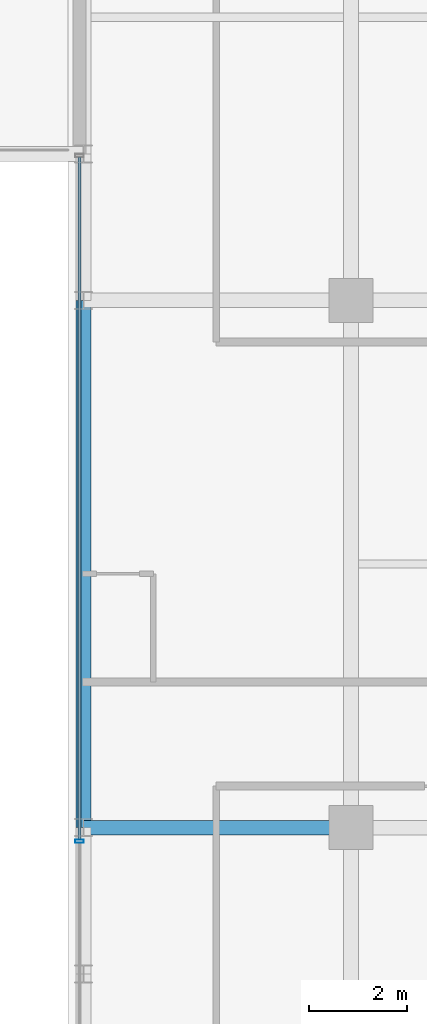
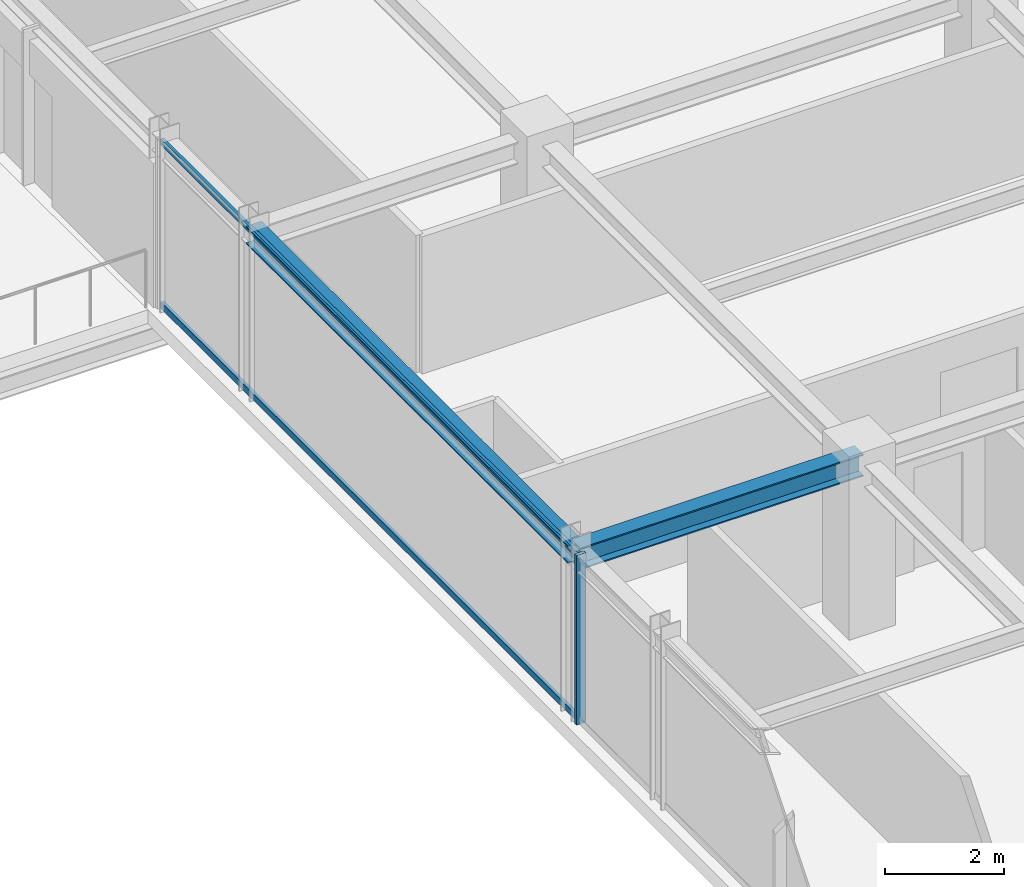
# One storey, part 8 of 34: 3 members, 2 beams, 1 element without a shape of its own.
"""IFC4 building model written with IfcOpenShell, lengths in metres."""

from ifc_helpers import new_model, si_unit, direction, frame, origin, origin_2d, place, context, subcontext, project, spatial, hollow_rectangle, i_section, extrude, source, transform, mapped, material, material_profile, profile_set, type_object, element, aggregate, save


model = new_model("IFC4")

# Units and contexts
model_context = context("Model", 3, precision=1e-05, world=origin(), true_north=direction((0.0, 1.0)))
body_context = subcontext(model_context, "Body", "Model", "MODEL_VIEW")
ifc_project = project(units=[si_unit("LENGTHUNIT", "METRE"), si_unit("AREAUNIT", "SQUARE_METRE"), si_unit("VOLUMEUNIT", "CUBIC_METRE"), si_unit("PLANEANGLEUNIT", "RADIAN"), si_unit("MASSUNIT", "GRAM", prefix="KILO")], contexts=[model_context])

# Site, building, storey
site_placement = place(None, origin())
site = spatial("IfcSite", under=ifc_project, at=site_placement, CompositionType="ELEMENT")
building_placement = place(site_placement, origin())
building = spatial("IfcBuilding", under=site, at=building_placement, Name="Nahalor Promenade Grand Hotel", CompositionType="ELEMENT")
storey_placement = place(building_placement, frame((0.0, 0.0, 334.75)))
storey = spatial("IfcBuildingStorey", under=building, at=storey_placement, Name="L86", CompositionType="ELEMENT", Elevation=334.75)

# Beams
ifc_material_1 = material(Name="Steel S355JR", Category="steel")
ifc_material_profile_1 = material_profile(ifc_material_1, i_section(OverallWidth=0.3, OverallDepth=0.45, WebThickness=0.014, FlangeThickness=0.026, at=origin_2d()), Name="HEB 450")
ifc_profile_set_1 = profile_set([ifc_material_profile_1], Name="Steel S355JR")
beam_type_1 = type_object("IfcBeamType", Name="Beam-Girder-HEB450", PredefinedType="BEAM", material=ifc_profile_set_1)
shared_shape_1 = source(origin(), body_context, "Body", "SweptSolid", [
    extrude(i_section(OverallWidth=0.3, OverallDepth=0.45, WebThickness=0.014, FlangeThickness=0.026, at=origin_2d()), origin(), (0.0, 0.0, 1.0), 5.47998046875),
])
beam_1_placement = place(storey_placement, frame((-22.47998046875, -5.39990234375, 3.2451171875), z_axis=(1.0, 0.0, 0.0), x_axis=(0.0, 1.0, 0.0)))
element("IfcBeam", 1, at=beam_1_placement, inside=storey, type_object=beam_type_1, Name="BM-L86-GX-1-0", PredefinedType="BEAM", context=body_context, shape_type="MappedRepresentation", body=[
    mapped(shared_shape_1, transform((0.0, 0.0, 0.0), scale=1.0)),
])
ifc_material_profile_2 = material_profile(ifc_material_1, i_section(OverallWidth=0.3, OverallDepth=0.36, WebThickness=0.0125, FlangeThickness=0.0225, at=origin_2d()), Name="HEB 360")
ifc_profile_set_2 = profile_set([ifc_material_profile_2], Name="Steel S355JR")
beam_type_2 = type_object("IfcBeamType", Name="Beam-Spandrel-HEB360", PredefinedType="SPANDREL", material=ifc_profile_set_2)
shared_shape_2 = source(origin(), body_context, "Body", "SweptSolid", [
    extrude(i_section(OverallWidth=0.3, OverallDepth=0.36, WebThickness=0.0125, FlangeThickness=0.0225, at=origin_2d()), origin(), (0.0, 0.0, 1.0), 10.7998046875),
])
beam_2_placement = place(storey_placement, frame((-22.47998046875, -5.39990234375, 3.2900390625), z_axis=(0.0, 1.0, 0.0), x_axis=(-1.0, 0.0, 0.0)))
element("IfcBeam", 2, at=beam_2_placement, inside=storey, type_object=beam_type_2, Name="BM-L86-SP-W-2", PredefinedType="SPANDREL", context=body_context, shape_type="MappedRepresentation", body=[
    mapped(shared_shape_2, transform((0.0, 0.0, 0.0), scale=1.0)),
])

# Curtain wall, members
ifc_material_2 = material(Name="Anodised Bronze Aluminium EN AW-6063 T6", Category="aluminium")
curtain_wall_type = type_object("IfcCurtainWallType", Name="CW2 Typical Hotel Flush Bronze Unitised Curtain Wall", PredefinedType="USERDEFINED", material=ifc_material_2)
curtain_wall_placement = place(storey_placement, origin())
curtain_wall = element("IfcCurtainWall", 3, at=curtain_wall_placement, inside=storey, type_object=curtain_wall_type, Name="L86 Curtain Wall CW-L86-W-1", ObjectType="UNITISED_CURTAIN_WALL", PredefinedType="USERDEFINED")
ifc_material_profile_3 = material_profile(ifc_material_2, hollow_rectangle(XDim=0.065, YDim=0.13, WallThickness=0.004, at=origin_2d()), Name="CWT 65x130x4")
ifc_profile_set_3 = profile_set([ifc_material_profile_3], Name="Anodised Bronze Aluminium EN AW-6063 T6")
member_type_1 = type_object("IfcMemberType", Name="CWT2 Typical Bronze Transom 65x130", PredefinedType="USERDEFINED", material=ifc_profile_set_3)
shared_shape_3 = source(origin(), body_context, "Body", "SweptSolid", [
    extrude(hollow_rectangle(XDim=0.065, YDim=0.13, WallThickness=0.004, at=origin_2d()), origin(), (0.0, 0.0, 1.0), 13.982421875),
])
member_1_placement = place(storey_placement, frame((-22.56005859375, -5.6474609375, 0.06494140625), z_axis=(0.0, 1.0, 0.0), x_axis=(-1.0, 0.0, 0.0)))
member_1 = element("IfcMember", 4, at=member_1_placement, type_object=member_type_1, Name="CW-L86-W-1 Transom 1-0", ObjectType="TRANSOM", PredefinedType="USERDEFINED", context=body_context, shape_type="MappedRepresentation", body=[
    mapped(shared_shape_3, transform((0.0, 0.0, 0.0), scale=1.0)),
])
member_2_placement = place(storey_placement, frame((-22.56005859375, -5.6474609375, 3.405029296875), z_axis=(0.0, 1.0, 0.0), x_axis=(-1.0, 0.0, 0.0)))
member_2 = element("IfcMember", 5, at=member_2_placement, type_object=member_type_1, Name="CW-L86-W-1 Transom 1-1", ObjectType="TRANSOM", PredefinedType="USERDEFINED", context=body_context, shape_type="MappedRepresentation", body=[
    mapped(shared_shape_3, transform((0.0, 0.0, 0.0), scale=1.0)),
])
ifc_material_profile_4 = material_profile(ifc_material_2, hollow_rectangle(XDim=0.065, YDim=0.18, WallThickness=0.004, at=origin_2d()), Name="CWM 65x180x4")
ifc_profile_set_4 = profile_set([ifc_material_profile_4], Name="Anodised Bronze Aluminium EN AW-6063 T6")
member_type_2 = type_object("IfcMemberType", Name="CWM2 Typical Bronze Mullion 65x180", PredefinedType="MULLION", material=ifc_profile_set_4)
shared_shape_4 = source(origin(), body_context, "Body", "SweptSolid", [
    extrude(hollow_rectangle(XDim=0.065, YDim=0.18, WallThickness=0.004, at=origin_2d()), origin(), (0.0, 0.0, 1.0), 3.469970703125),
])
member_3_placement = place(storey_placement, frame((-22.56005859375, -5.679931640625, 0.0), z_axis=(0.0, 0.0, 1.0), x_axis=(0.0, 1.0, 0.0)))
member_3 = element("IfcMember", 6, at=member_3_placement, type_object=member_type_2, Name="CW-L86-W-1 Mullion 1", PredefinedType="MULLION", context=body_context, shape_type="MappedRepresentation", body=[
    mapped(shared_shape_4, transform((0.0, 0.0, 0.0), scale=1.0)),
])
aggregate(curtain_wall, [member_3, member_1, member_2])

save(model, "model.ifc")
